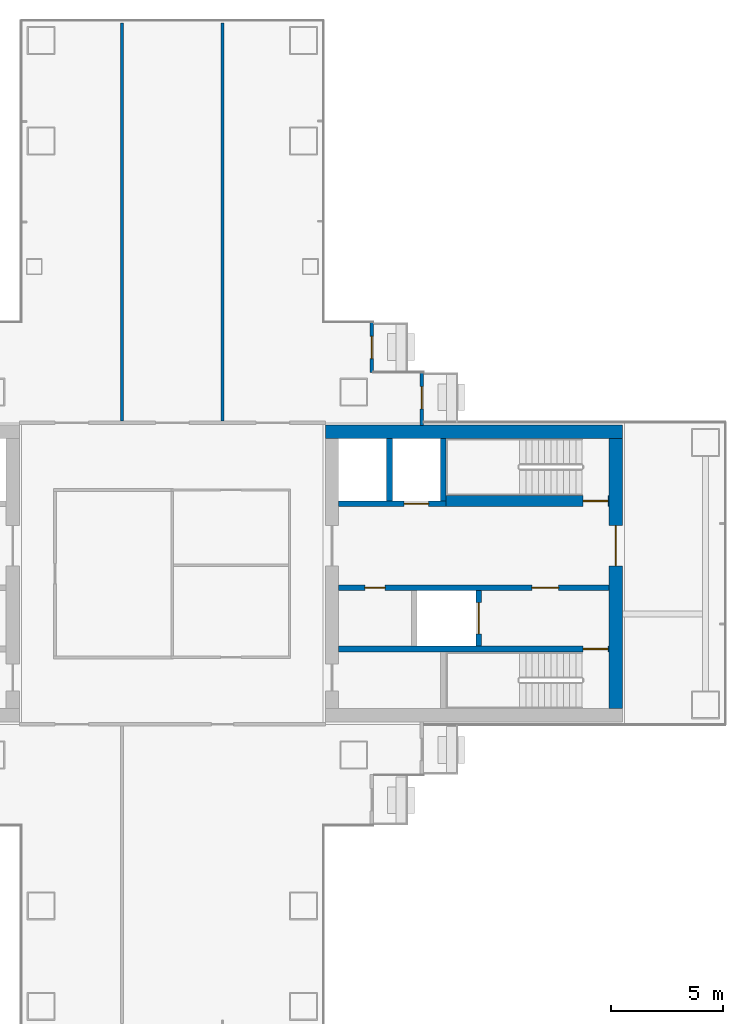
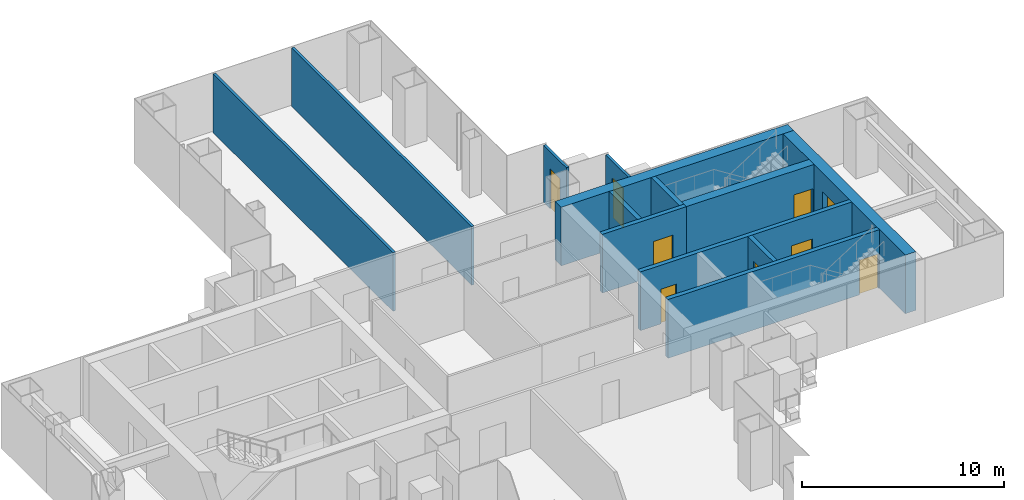
# One storey, part 16 of 20: 13 walls, 9 doors, 9 openings.
"""IFC4 building model written with IfcOpenShell, lengths in metres."""

from ifc_helpers import new_model, si_unit, direction, frame, frame_2d, origin, place, context, subcontext, project, spatial, rectangle, extrude, material, layer, layer_set, type_object, element, fill, save


model = new_model("IFC4")

# Units and contexts
model_context = context("Model", 3, precision=1e-05, world=origin(), true_north=direction((0.0, 1.0)))
body_context = subcontext(model_context, "Body", "Model", "MODEL_VIEW")
ifc_project = project(units=[si_unit("LENGTHUNIT", "METRE"), si_unit("AREAUNIT", "SQUARE_METRE"), si_unit("VOLUMEUNIT", "CUBIC_METRE"), si_unit("PLANEANGLEUNIT", "RADIAN"), si_unit("MASSUNIT", "GRAM", prefix="KILO")], contexts=[model_context])

# Site, building, storey
site_placement = place(None, origin())
site = spatial("IfcSite", under=ifc_project, at=site_placement, CompositionType="ELEMENT")
building_placement = place(site_placement, origin())
building = spatial("IfcBuilding", under=site, at=building_placement, Name="Shamsa Quay Exchange Towers", CompositionType="ELEMENT")
storey_placement = place(building_placement, frame((0.0, 0.0, 120.89990234375)))
storey = spatial("IfcBuildingStorey", under=building, at=storey_placement, Name="L28", CompositionType="ELEMENT", Elevation=120.89990234375)

# Wall, opening, door
ifc_material_1 = material(Name="Aluminium EN AW-6063 T6, black anodised, with black enamelled glass infill", Category="aluminium")
ifc_layer_1 = layer(ifc_material_1, 0.14990234375)
ifc_layer_set_1 = layer_set([ifc_layer_1], Name="BALCONY DOOR BAY WALL 150")
wall_type_1 = type_object("IfcWallType", Name="BALCONY DOOR BAY WALL 150", PredefinedType="SOLIDWALL", material=ifc_layer_set_1)
wall_1_placement = place(storey_placement, frame((42.675048828125, 11.25, 0.0), z_axis=(0.0, 0.0, 1.0), x_axis=(0.0, -1.0, 0.0)))
wall_1 = element("IfcWall", 1, at=wall_1_placement, inside=storey, type_object=wall_type_1, Name="Door bay T2-PKES L28", PredefinedType="SOLIDWALL", context=body_context, shape_type="SweptSolid", body=[
    extrude(rectangle(XDim=2.25, YDim=0.14990234375, at=frame_2d((1.125, 0.0))), origin(), (0.0, 0.0, 1.0), 3.4501953125),
])
opening_1_placement = place(wall_1_placement, frame((0.625, 0.0, 0.0)))
opening_1 = element("IfcOpeningElement", 2, at=opening_1_placement, cuts=wall_1, Name="Opening XD179", PredefinedType="OPENING", context=body_context, shape_type="SweptSolid", body=[
    extrude(rectangle(XDim=1.0, YDim=2.39990234375, at=frame_2d((0.5, 1.199951171875))), frame((0.0, 0.0849609375, 0.0), z_axis=(0.0, -1.0, 0.0), x_axis=(1.0, 0.0, 0.0)), (0.0, 0.0, 1.0), 0.169921875),
])
ifc_material_2 = material(Name="Aluminium EN AW-6063 T6, black anodised, with laminated glass leaf", Category="aluminium")
door_type_1 = type_object("IfcDoorType", Name="BALCONY DOOR 1000x2400", OperationType="SINGLE_SWING_LEFT", PredefinedType="DOOR", material=ifc_material_2)
door_1_placement = place(opening_1_placement, origin())
door_1 = element("IfcDoor", 3, at=door_1_placement, inside=storey, type_object=door_type_1, Name="Balcony door T2-PKES L28", OperationType="SINGLE_SWING_RIGHT", OverallHeight=2.39990234375, OverallWidth=1.0, PredefinedType="DOOR", context=body_context, shape_type="SweptSolid", body=[
    extrude(rectangle(XDim=1.0, YDim=2.39990234375, at=frame_2d((0.5, 1.199951171875))), frame((0.0, 0.02490234375, 0.0), z_axis=(0.0, -1.0, 0.0), x_axis=(1.0, 0.0, 0.0)), (0.0, 0.0, 1.0), 0.050048828125),
])
fill(opening_1, door_1)

wall_2_placement = place(storey_placement, frame((44.925048828125, 9.0, 0.0), z_axis=(0.0, 0.0, 1.0), x_axis=(0.0, -1.0, 0.0)))
wall_2 = element("IfcWall", 4, at=wall_2_placement, inside=storey, type_object=wall_type_1, Name="Door bay T2-PKES L28", PredefinedType="SOLIDWALL", context=body_context, shape_type="SweptSolid", body=[
    extrude(rectangle(XDim=2.35693359375, YDim=0.14990234375, at=frame_2d((1.178466796875, 0.0))), origin(), (0.0, 0.0, 1.0), 3.4501953125),
])
opening_2_placement = place(wall_2_placement, frame((0.625, 0.0, 0.0)))
opening_2 = element("IfcOpeningElement", 5, at=opening_2_placement, cuts=wall_2, Name="Opening XD180", PredefinedType="OPENING", context=body_context, shape_type="SweptSolid", body=[
    extrude(rectangle(XDim=1.0, YDim=2.39990234375, at=frame_2d((0.5, 1.199951171875))), frame((0.0, 0.0849609375, 0.0), z_axis=(0.0, -1.0, 0.0), x_axis=(1.0, 0.0, 0.0)), (0.0, 0.0, 1.0), 0.169921875),
])
door_2_placement = place(opening_2_placement, origin())
door_2 = element("IfcDoor", 6, at=door_2_placement, inside=storey, type_object=door_type_1, Name="Balcony door T2-PKES L28", OperationType="SINGLE_SWING_LEFT", OverallHeight=2.39990234375, OverallWidth=1.0, PredefinedType="DOOR", context=body_context, shape_type="SweptSolid", body=[
    extrude(rectangle(XDim=1.0, YDim=2.39990234375, at=frame_2d((0.5, 1.199951171875))), frame((0.0, 0.02490234375, 0.0), z_axis=(0.0, -1.0, 0.0), x_axis=(1.0, 0.0, 0.0)), (0.0, 0.0, 1.0), 0.050048828125),
])
fill(opening_2, door_2)

# Wall
ifc_material_3 = material(Name="Concrete C70/85", Category="concrete")
ifc_layer_2 = layer(ifc_material_3, 0.60009765625)
ifc_layer_set_2 = layer_set([ifc_layer_2], Name="CORE WALL 600 C70/85")
wall_type_2 = type_object("IfcWallType", Name="CORE WALL 600 C70/85", PredefinedType="SHEAR", material=ifc_layer_set_2)
wall_3_placement = place(storey_placement, frame((53.89990234375, 6.35009765625, 0.0), z_axis=(0.0, 0.0, 1.0), x_axis=(-1.0, 0.0, 0.0)))
element("IfcWall", 7, at=wall_3_placement, inside=storey, type_object=wall_type_2, Name="Core wall T2B-R13-PN", PredefinedType="SHEAR", context=body_context, shape_type="SweptSolid", body=[
    extrude(rectangle(XDim=13.2998046875, YDim=0.60009765625, at=frame_2d((6.64990234375, 0.0))), origin(), (0.0, 0.0, 1.0), 3.550048828125),
])

# Wall, opening, door
wall_4_placement = place(storey_placement, frame((53.60009765625, -6.050048828125, 0.0), z_axis=(0.0, 0.0, 1.0), x_axis=(0.0, 1.0, 0.0)))
wall_4 = element("IfcWall", 8, at=wall_4_placement, inside=storey, type_object=wall_type_2, Name="Core wall T2B-R13-PF", PredefinedType="SHEAR", context=body_context, shape_type="SweptSolid", body=[
    extrude(rectangle(XDim=12.10009765625, YDim=0.60009765625, at=frame_2d((6.050048828125, 0.0))), origin(), (0.0, 0.0, 1.0), 3.550048828125),
])
opening_3_placement = place(wall_4_placement, frame((6.39990234375, 0.0, 0.0)))
opening_3 = element("IfcOpeningElement", 9, at=opening_3_placement, cuts=wall_4, Name="Opening T2B-R13-LBD01", PredefinedType="OPENING", context=body_context, shape_type="SweptSolid", body=[
    extrude(rectangle(XDim=1.800048828125, YDim=2.39990234375, at=frame_2d((0.89990234375, 1.199951171875))), frame((0.0, 0.31005859375, 0.0), z_axis=(0.0, -1.0, 0.0), x_axis=(1.0, 0.0, 0.0)), (0.0, 0.0, 1.0), 0.6201171875),
])
ifc_material_4 = material(Name="Steel, fire rated", Category="steel")
door_type_2 = type_object("IfcDoorType", Name="LIFT LOBBY DOOR PAIR 1800", OperationType="DOUBLE_DOOR_SINGLE_SWING", PredefinedType="DOOR", material=ifc_material_4)
door_3_placement = place(opening_3_placement, origin())
door_3 = element("IfcDoor", 10, at=door_3_placement, inside=storey, type_object=door_type_2, Name="T2B-R13-LBD01", OperationType="DOUBLE_DOOR_SINGLE_SWING", OverallHeight=2.39990234375, OverallWidth=1.800048828125, PredefinedType="DOOR", context=body_context, shape_type="SweptSolid", body=[
    extrude(rectangle(XDim=1.800048828125, YDim=2.39990234375, at=frame_2d((0.89990234375, 1.199951171875))), frame((0.0, 0.02490234375, 0.0), z_axis=(0.0, -1.0, 0.0), x_axis=(1.0, 0.0, 0.0)), (0.0, 0.0, 1.0), 0.050048828125),
])
fill(opening_3, door_3)

# Walls
ifc_material_5 = material(Name="Gypsum board partition on metal studs")
ifc_layer_3 = layer(ifc_material_5, 0.14990234375)
ifc_layer_set_3 = layer_set([ifc_layer_3], Name="Partition 150 mm EI 60")
wall_type_3 = type_object("IfcWallType", Name="Partition 150 mm EI 60", PredefinedType="PARTITIONING", material=ifc_layer_set_3)
for number, where, z_axis, x_axis, name in (
    (11, (36.0, 24.655029296875, 0.0), (0.0, 0.0, 1.0), (0.0, -1.0, 0.0), "Partition T2-R13-W11"),
    (12, (31.5, 24.655029296875, 0.0), (0.0, 0.0, 1.0), (0.0, -1.0, 0.0), "Partition T2-R13-W13"),
):
    element("IfcWall", number, at=place(storey_placement, frame(where, z_axis=z_axis, x_axis=x_axis)), inside=storey, type_object=wall_type_3, Name=name, PredefinedType="PARTITIONING", context=body_context, shape_type="SweptSolid", body=[
        extrude(rectangle(XDim=17.830078125, YDim=0.14990234375, at=frame_2d((8.9150390625, 0.0))), origin(), (0.0, 0.0, 1.0), 3.550048828125),
    ])

# Wall, opening, door
ifc_material_6 = material(Name="Concrete C50/60", Category="concrete")
ifc_layer_4 = layer(ifc_material_6, 0.25)
ifc_layer_set_4 = layer_set([ifc_layer_4], Name="SHAFT WALL 250 C50/60")
wall_type_4 = type_object("IfcWallType", Name="SHAFT WALL 250 C50/60", PredefinedType="SHEAR", material=ifc_layer_set_4)
wall_5_placement = place(storey_placement, frame((53.300048828125, -3.375, 0.0), z_axis=(0.0, 0.0, 1.0), x_axis=(-1.0, 0.0, 0.0)))
wall_5 = element("IfcWall", 13, at=wall_5_placement, inside=storey, type_object=wall_type_4, Name="Shaft wall T2B-R13-STL", PredefinedType="SHEAR", context=body_context, shape_type="SweptSolid", body=[
    extrude(rectangle(XDim=12.10009765625, YDim=0.25, at=frame_2d((6.050048828125, 0.0))), origin(), (0.0, 0.0, 1.0), 3.550048828125),
])
opening_4_placement = place(wall_5_placement, frame((0.050048828125, 0.0, 0.0)))
opening_4 = element("IfcOpeningElement", 14, at=opening_4_placement, cuts=wall_5, Name="Opening T2B-R13-SD04", PredefinedType="OPENING", context=body_context, shape_type="SweptSolid", body=[
    extrude(rectangle(XDim=1.10009765625, YDim=2.10009765625, at=frame_2d((0.550048828125, 1.050048828125))), frame((0.0, 0.135009765625, 0.0), z_axis=(0.0, -1.0, 0.0), x_axis=(1.0, 0.0, 0.0)), (0.0, 0.0, 1.0), 0.27001953125),
])
door_type_3 = type_object("IfcDoorType", Name="STAIR DOOR 1100", OperationType="SINGLE_SWING_LEFT", PredefinedType="DOOR", material=ifc_material_4)
door_4_placement = place(opening_4_placement, origin())
door_4 = element("IfcDoor", 15, at=door_4_placement, inside=storey, type_object=door_type_3, Name="T2B-R13-SD04", OperationType="SINGLE_SWING_LEFT", OverallHeight=2.10009765625, OverallWidth=1.10009765625, PredefinedType="DOOR", context=body_context, shape_type="SweptSolid", body=[
    extrude(rectangle(XDim=1.10009765625, YDim=2.10009765625, at=frame_2d((0.550048828125, 1.050048828125))), frame((0.0, 0.02490234375, 0.0), z_axis=(0.0, -1.0, 0.0), x_axis=(1.0, 0.0, 0.0)), (0.0, 0.0, 1.0), 0.050048828125),
])
fill(opening_4, door_4)

# Wall, openings, doors
wall_6_placement = place(storey_placement, frame((53.300048828125, -0.625, 0.0), z_axis=(0.0, 0.0, 1.0), x_axis=(-1.0, 0.0, 0.0)))
wall_6 = element("IfcWall", 16, at=wall_6_placement, inside=storey, type_object=wall_type_4, Name="Shaft wall T2B-R13-B", PredefinedType="SHEAR", context=body_context, shape_type="SweptSolid", body=[
    extrude(rectangle(XDim=12.10009765625, YDim=0.25, at=frame_2d((6.050048828125, 0.0))), origin(), (0.0, 0.0, 1.0), 3.550048828125),
])
opening_5_placement = place(wall_6_placement, frame((2.25, 0.0, 0.0)))
opening_5 = element("IfcOpeningElement", 17, at=opening_5_placement, cuts=wall_6, Name="Opening T2B-R13-FD05", PredefinedType="OPENING", context=body_context, shape_type="SweptSolid", body=[
    extrude(rectangle(XDim=1.199951171875, YDim=2.10009765625, at=frame_2d((0.60009765625, 1.050048828125))), frame((0.0, 0.135009765625, 0.0), z_axis=(0.0, -1.0, 0.0), x_axis=(1.0, 0.0, 0.0)), (0.0, 0.0, 1.0), 0.27001953125),
])
opening_6_placement = place(wall_6_placement, frame((10.02490234375, 0.0, 0.0)))
opening_6 = element("IfcOpeningElement", 18, at=opening_6_placement, cuts=wall_6, Name="Opening T2B-R13-SV06", PredefinedType="OPENING", context=body_context, shape_type="SweptSolid", body=[
    extrude(rectangle(XDim=0.89990234375, YDim=2.10009765625, at=frame_2d((0.449951171875, 1.050048828125))), frame((0.0, 0.135009765625, 0.0), z_axis=(0.0, -1.0, 0.0), x_axis=(1.0, 0.0, 0.0)), (0.0, 0.0, 1.0), 0.27001953125),
])
door_type_4 = type_object("IfcDoorType", Name="FIRE SERVICE LOBBY DOOR 1200", OperationType="SINGLE_SWING_LEFT", PredefinedType="DOOR", material=ifc_material_4)
door_5_placement = place(opening_5_placement, origin())
door_5 = element("IfcDoor", 19, at=door_5_placement, inside=storey, type_object=door_type_4, Name="T2B-R13-FD05", OperationType="SINGLE_SWING_LEFT", OverallHeight=2.10009765625, OverallWidth=1.199951171875, PredefinedType="DOOR", context=body_context, shape_type="SweptSolid", body=[
    extrude(rectangle(XDim=1.199951171875, YDim=2.10009765625, at=frame_2d((0.60009765625, 1.050048828125))), frame((0.0, 0.02490234375, 0.0), z_axis=(0.0, -1.0, 0.0), x_axis=(1.0, 0.0, 0.0)), (0.0, 0.0, 1.0), 0.050048828125),
])
fill(opening_5, door_5)
door_type_5 = type_object("IfcDoorType", Name="SERVICE ROOM DOOR 900", OperationType="SINGLE_SWING_LEFT", PredefinedType="DOOR", material=ifc_material_4)
door_6_placement = place(opening_6_placement, origin())
door_6 = element("IfcDoor", 20, at=door_6_placement, inside=storey, type_object=door_type_5, Name="T2B-R13-SV06", OperationType="SINGLE_SWING_RIGHT", OverallHeight=2.10009765625, OverallWidth=0.89990234375, PredefinedType="DOOR", context=body_context, shape_type="SweptSolid", body=[
    extrude(rectangle(XDim=0.89990234375, YDim=2.10009765625, at=frame_2d((0.449951171875, 1.050048828125))), frame((0.0, 0.02490234375, 0.0), z_axis=(0.0, -1.0, 0.0), x_axis=(1.0, 0.0, 0.0)), (0.0, 0.0, 1.0), 0.050048828125),
])
fill(opening_6, door_6)

# Wall, opening, door
wall_7_placement = place(storey_placement, frame((47.47509765625, -3.25, 0.0), z_axis=(0.0, 0.0, 1.0), x_axis=(0.0, 1.0, 0.0)))
wall_7 = element("IfcWall", 21, at=wall_7_placement, inside=storey, type_object=wall_type_4, Name="Shaft wall T2B-R13-FFF", PredefinedType="SHEAR", context=body_context, shape_type="SweptSolid", body=[
    extrude(rectangle(XDim=2.5, YDim=0.25, at=frame_2d((1.25, 0.0))), origin(), (0.0, 0.0, 1.0), 3.550048828125),
])
opening_7_placement = place(wall_7_placement, frame((0.550048828125, 0.0, 0.0)))
opening_7 = element("IfcOpeningElement", 22, at=opening_7_placement, cuts=wall_7, Name="Opening T2B-R13-LDG07", PredefinedType="OPENING", context=body_context, shape_type="SweptSolid", body=[
    extrude(rectangle(XDim=1.39990234375, YDim=2.39990234375, at=frame_2d((0.699951171875, 1.199951171875))), frame((0.0, 0.135009765625, 0.0), z_axis=(0.0, -1.0, 0.0), x_axis=(1.0, 0.0, 0.0)), (0.0, 0.0, 1.0), 0.27001953125),
])
door_type_6 = type_object("IfcDoorType", Name="GOODS LIFT LANDING DOOR 1400", OperationType="SLIDING_TO_LEFT", PredefinedType="DOOR", material=ifc_material_4)
door_7_placement = place(opening_7_placement, origin())
door_7 = element("IfcDoor", 23, at=door_7_placement, inside=storey, type_object=door_type_6, Name="T2B-R13-LDG07", OperationType="SLIDING_TO_LEFT", OverallHeight=2.39990234375, OverallWidth=1.39990234375, PredefinedType="DOOR", context=body_context, shape_type="SweptSolid", body=[
    extrude(rectangle(XDim=1.39990234375, YDim=2.39990234375, at=frame_2d((0.699951171875, 1.199951171875))), frame((0.0, 0.02490234375, 0.0), z_axis=(0.0, -1.0, 0.0), x_axis=(1.0, 0.0, 0.0)), (0.0, 0.0, 1.0), 0.050048828125),
])
fill(opening_7, door_7)

wall_8_placement = place(storey_placement, frame((46.0, 3.125, 0.0), z_axis=(0.0, 0.0, 1.0), x_axis=(-1.0, 0.0, 0.0)))
wall_8 = element("IfcWall", 24, at=wall_8_placement, inside=storey, type_object=wall_type_4, Name="Shaft wall T2B-R13-N2", PredefinedType="SHEAR", context=body_context, shape_type="SweptSolid", body=[
    extrude(rectangle(XDim=4.800048828125, YDim=0.25, at=frame_2d((2.39990234375, 0.0))), origin(), (0.0, 0.0, 1.0), 3.550048828125),
])
opening_8_placement = place(wall_8_placement, frame((0.77490234375, 0.0, 0.0)))
opening_8 = element("IfcOpeningElement", 25, at=opening_8_placement, cuts=wall_8, Name="Opening T2B-R13-LD09", PredefinedType="OPENING", context=body_context, shape_type="SweptSolid", body=[
    extrude(rectangle(XDim=1.10009765625, YDim=2.10009765625, at=frame_2d((0.550048828125, 1.050048828125))), frame((0.0, 0.135009765625, 0.0), z_axis=(0.0, -1.0, 0.0), x_axis=(1.0, 0.0, 0.0)), (0.0, 0.0, 1.0), 0.27001953125),
])
door_type_7 = type_object("IfcDoorType", Name="LANDING DOOR 1100", OperationType="SLIDING_TO_LEFT", PredefinedType="DOOR", material=ifc_material_4)
door_8_placement = place(opening_8_placement, origin())
door_8 = element("IfcDoor", 26, at=door_8_placement, inside=storey, type_object=door_type_7, Name="T2B-R13-LD09", OperationType="SLIDING_TO_LEFT", OverallHeight=2.10009765625, OverallWidth=1.10009765625, PredefinedType="DOOR", context=body_context, shape_type="SweptSolid", body=[
    extrude(rectangle(XDim=1.10009765625, YDim=2.10009765625, at=frame_2d((0.550048828125, 1.050048828125))), frame((0.0, 0.02490234375, 0.0), z_axis=(0.0, -1.0, 0.0), x_axis=(1.0, 0.0, 0.0)), (0.0, 0.0, 1.0), 0.050048828125),
])
fill(opening_8, door_8)

# Walls
for number, where, z_axis, x_axis, name in (
    (27, (45.875, 3.25, 0.0), (0.0, 0.0, 1.0), (0.0, 1.0, 0.0), "Shaft wall T2B-R13-STF2"),
    (28, (43.47509765625, 3.25, 0.0), (0.0, 0.0, 1.0), (0.0, 1.0, 0.0), "Shaft wall T2B-R13-D0"),
):
    element("IfcWall", number, at=place(storey_placement, frame(where, z_axis=z_axis, x_axis=x_axis)), inside=storey, type_object=wall_type_4, Name=name, PredefinedType="SHEAR", context=body_context, shape_type="SweptSolid", body=[
        extrude(rectangle(XDim=2.800048828125, YDim=0.25, at=frame_2d((1.39990234375, 0.0))), origin(), (0.0, 0.0, 1.0), 3.550048828125),
    ])

# Wall, opening, door
ifc_layer_5 = layer(ifc_material_6, 0.5)
ifc_layer_set_5 = layer_set([ifc_layer_5], Name="SHAFT WALL 500 C50/60")
wall_type_5 = type_object("IfcWallType", Name="SHAFT WALL 500 C50/60", PredefinedType="SHEAR", material=ifc_layer_set_5)
wall_9_placement = place(storey_placement, frame((46.0, 3.25, 0.0)))
wall_9 = element("IfcWall", 29, at=wall_9_placement, inside=storey, type_object=wall_type_5, Name="Shaft wall T2B-R13-N", PredefinedType="SHEAR", context=body_context, shape_type="SweptSolid", body=[
    extrude(rectangle(XDim=7.300048828125, YDim=0.5, at=frame_2d((3.64990234375, 0.0))), origin(), (0.0, 0.0, 1.0), 3.550048828125),
])
opening_9_placement = place(wall_9_placement, frame((6.14990234375, 0.0, 0.0)))
opening_9 = element("IfcOpeningElement", 30, at=opening_9_placement, cuts=wall_9, Name="Opening T2B-R13-SD08", PredefinedType="OPENING", context=body_context, shape_type="SweptSolid", body=[
    extrude(rectangle(XDim=1.10009765625, YDim=2.10009765625, at=frame_2d((0.550048828125, 1.050048828125))), frame((0.0, 0.260009765625, 0.0), z_axis=(0.0, -1.0, 0.0), x_axis=(1.0, 0.0, 0.0)), (0.0, 0.0, 1.0), 0.52001953125),
])
door_9_placement = place(opening_9_placement, origin())
door_9 = element("IfcDoor", 31, at=door_9_placement, inside=storey, type_object=door_type_3, Name="T2B-R13-SD08", OperationType="SINGLE_SWING_RIGHT", OverallHeight=2.10009765625, OverallWidth=1.10009765625, PredefinedType="DOOR", context=body_context, shape_type="SweptSolid", body=[
    extrude(rectangle(XDim=1.10009765625, YDim=2.10009765625, at=frame_2d((0.550048828125, 1.050048828125))), frame((0.0, 0.02490234375, 0.0), z_axis=(0.0, -1.0, 0.0), x_axis=(1.0, 0.0, 0.0)), (0.0, 0.0, 1.0), 0.050048828125),
])
fill(opening_9, door_9)

save(model, "model.ifc")
